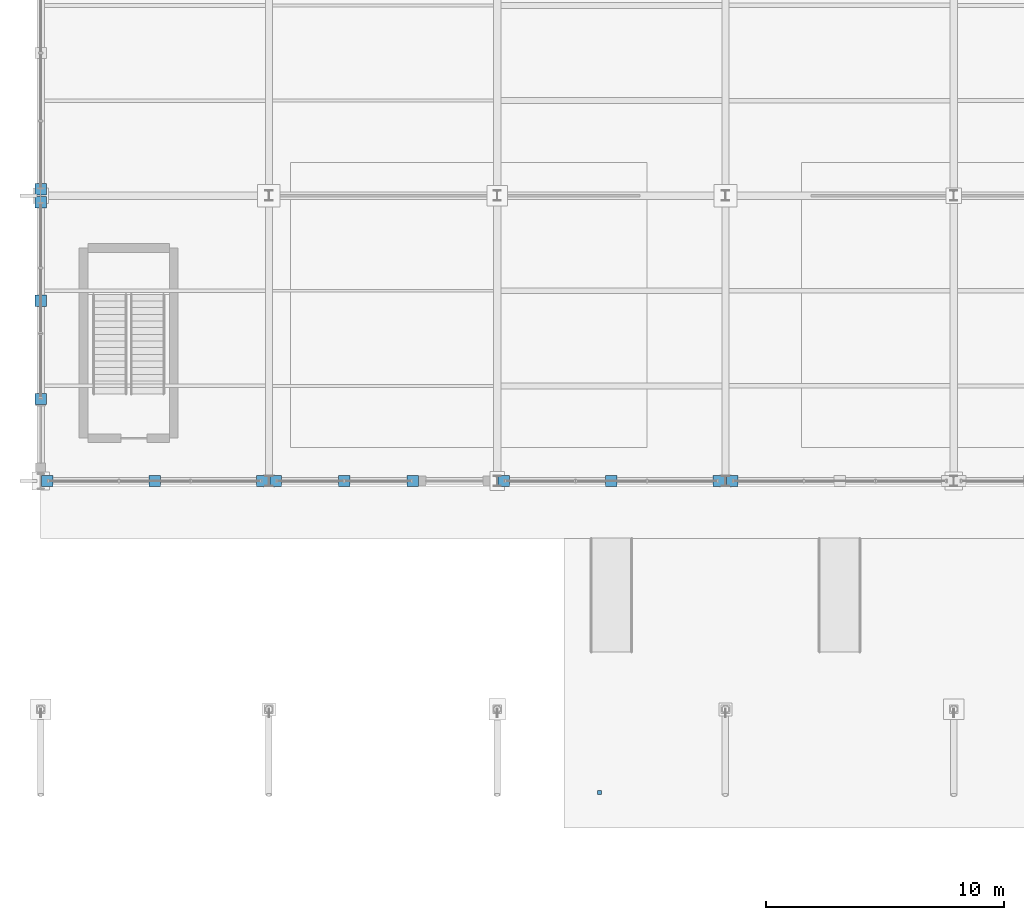
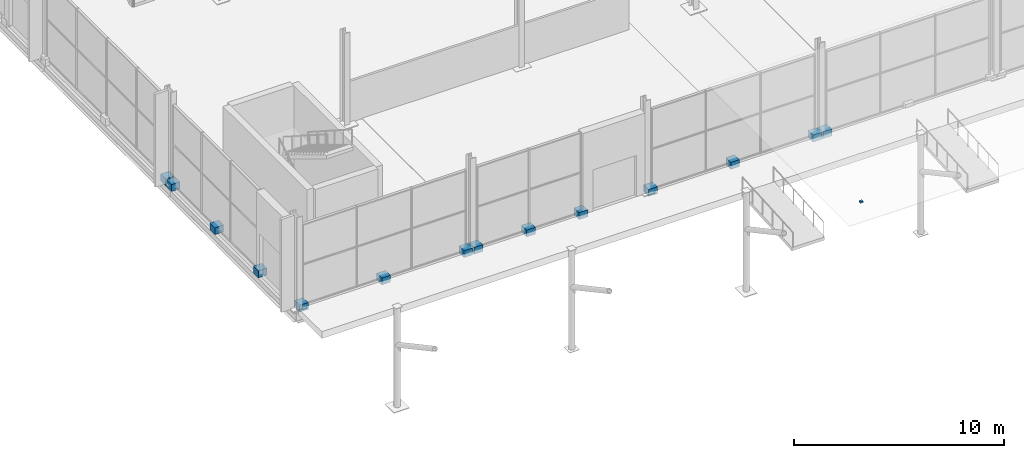
# One storey, part 180 of 196: 15 discrete accessories.
"""IFC4 building model written with IfcOpenShell, lengths in metres."""

from ifc_helpers import new_model, si_unit, direction, frame, origin, origin_2d, place, context, subcontext, project, spatial, rectangle, extrude, material, layer, layer_set, type_object, element, save


model = new_model("IFC4")

# Units and contexts
model_context = context("Model", 3, precision=1e-05, world=origin(), true_north=direction((0.0, 1.0)))
body_context = subcontext(model_context, "Body", "Model", "MODEL_VIEW")
ifc_project = project(units=[si_unit("LENGTHUNIT", "METRE"), si_unit("AREAUNIT", "SQUARE_METRE"), si_unit("VOLUMEUNIT", "CUBIC_METRE"), si_unit("PLANEANGLEUNIT", "RADIAN"), si_unit("MASSUNIT", "GRAM", prefix="KILO")], contexts=[model_context])

# Site, building, storey
site_placement = place(None, origin())
site = spatial("IfcSite", under=ifc_project, at=site_placement, CompositionType="ELEMENT")
building_placement = place(site_placement, origin())
building = spatial("IfcBuilding", under=site, at=building_placement, Name="Merenkruunu Market Hall", CompositionType="ELEMENT")
storey_placement = place(building_placement, origin())
storey = spatial("IfcBuildingStorey", under=building, at=storey_placement, Name="L00", CompositionType="ELEMENT", Elevation=0.0)

# Discrete accessories
ifc_material = material(Name="Brushed stainless steel", Category="steel")
ifc_layer = layer(ifc_material, 0.159912109375)
ifc_layer_set = layer_set([ifc_layer], Name="Brushed stainless steel")
discrete_accessory_type = type_object("IfcDiscreteAccessoryType", Name="Stainless Facade Support Bracket BRK01", PredefinedType="BRACKET", material=ifc_layer_set)
for number, where, z_axis, x_axis, name in (
    (1, (0.0, 19.050048828125, -0.199951171875), (0.0, 0.0, 1.0), (1.0, 0.0, 0.0), "ACC-CWBRK-001-1"),
    (2, (0.0, 23.18505859375, -0.199951171875), (0.0, 0.0, 1.0), (1.0, 0.0, 0.0), "ACC-CWBRK-001-2"),
    (3, (0.0, 27.320068359375, -0.199951171875), (0.0, 0.0, 1.0), (1.0, 0.0, 0.0), "ACC-CWBRK-001-3"),
    (4, (0.0, 27.8798828125, -0.199951171875), (0.0, 0.0, 1.0), (1.0, 0.0, 0.0), "ACC-CWBRK-004-1"),
    (5, (9.320068359375, 15.60009765625, -0.199951171875), (0.0, 0.0, 1.0), (1.0, 0.0, 0.0), "ACC-CWBRK-019-1"),
    (6, (4.800048828125, 15.60009765625, -0.199951171875), (0.0, 0.0, 1.0), (1.0, 0.0, 0.0), "ACC-CWBRK-019-2"),
    (7, (0.280029296875, 15.60009765625, -0.199951171875), (0.0, 0.0, 1.0), (1.0, 0.0, 0.0), "ACC-CWBRK-019-3"),
    (8, (15.64990234375, 15.60009765625, -0.199951171875), (0.0, 0.0, 1.0), (1.0, 0.0, 0.0), "ACC-CWBRK-022-1"),
    (9, (12.764892578125, 15.60009765625, -0.199951171875), (0.0, 0.0, 1.0), (1.0, 0.0, 0.0), "ACC-CWBRK-022-2"),
    (10, (9.8798828125, 15.60009765625, -0.199951171875), (0.0, 0.0, 1.0), (1.0, 0.0, 0.0), "ACC-CWBRK-022-3"),
    (11, (28.52001953125, 15.60009765625, -0.199951171875), (0.0, 0.0, 1.0), (1.0, 0.0, 0.0), "ACC-CWBRK-025-1"),
    (12, (24.0, 15.60009765625, -0.199951171875), (0.0, 0.0, 1.0), (1.0, 0.0, 0.0), "ACC-CWBRK-025-2"),
    (13, (19.47998046875, 15.60009765625, -0.199951171875), (0.0, 0.0, 1.0), (1.0, 0.0, 0.0), "ACC-CWBRK-025-3"),
    (14, (29.080078125, 15.60009765625, -0.199951171875), (0.0, 0.0, 1.0), (1.0, 0.0, 0.0), "ACC-CWBRK-028-3"),
):
    element("IfcDiscreteAccessory", number, at=place(storey_placement, frame(where, z_axis=z_axis, x_axis=x_axis)), inside=storey, type_object=discrete_accessory_type, Name=name, PredefinedType="BRACKET", context=body_context, shape_type="SweptSolid", body=[
        extrude(rectangle(XDim=0.47998046875, YDim=0.47998046875, at=origin_2d()), origin(), (0.0, 0.0, 1.0), 0.39990234375),
    ])
discrete_accessory_placement = place(storey_placement, frame((23.5, 2.5, 5.780029296875), z_axis=(0.0, 0.0, 1.0), x_axis=(1.0, 0.0, 0.0)))
element("IfcDiscreteAccessory", 15, at=discrete_accessory_placement, inside=storey, type_object=discrete_accessory_type, Name="ACC-CLGHNG-3-1", PredefinedType="BRACKET", context=body_context, shape_type="SweptSolid", body=[
    extrude(rectangle(XDim=0.159912109375, YDim=0.159912109375, at=origin_2d()), origin(), (0.0, 0.0, 1.0), 0.080078125),
])

save(model, "model.ifc")
